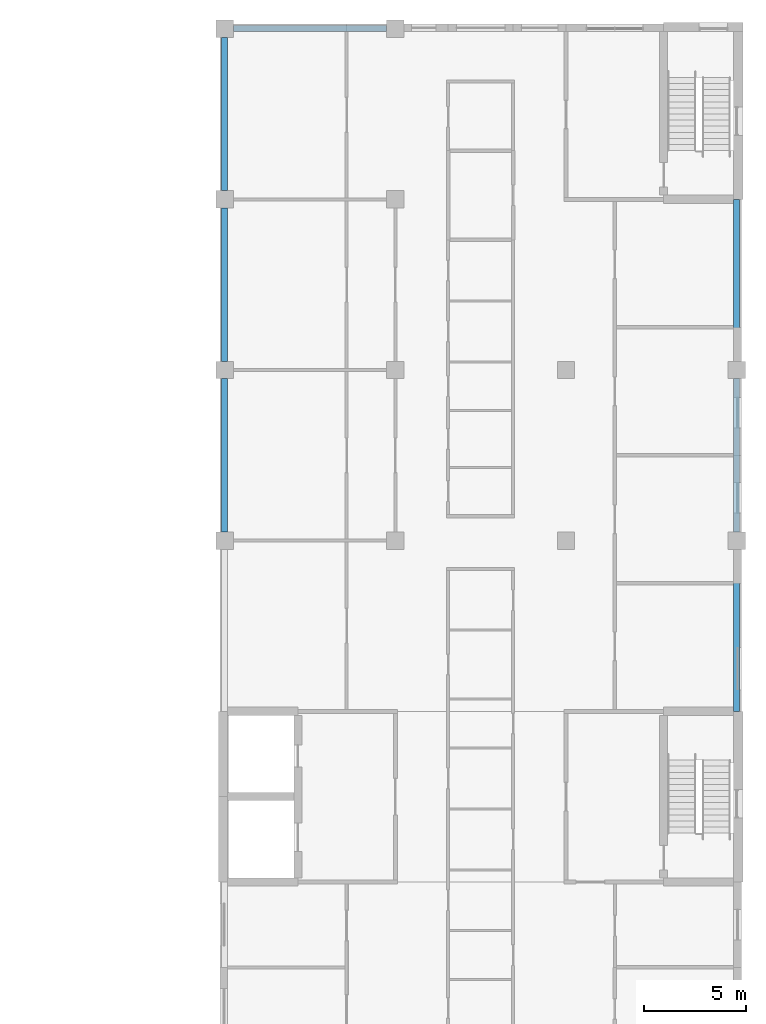
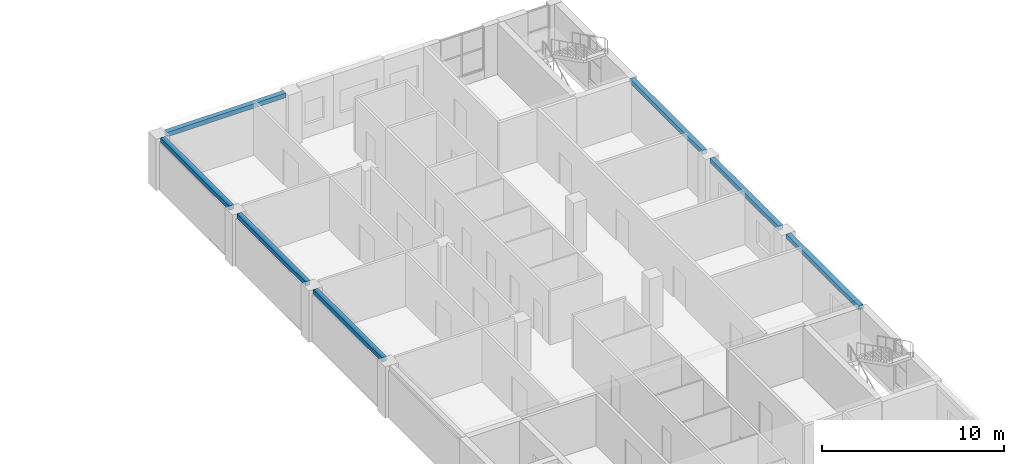
# One storey, part 41 of 94: 7 beams.
"""IFC4 building model written with IfcOpenShell, lengths in metres."""

from ifc_helpers import new_model, si_unit, direction, frame, origin, origin_2d, place, context, subcontext, project, spatial, rectangle, extrude, material, material_profile, profile_set, type_object, element, save


model = new_model("IFC4")

# Units and contexts
model_context = context("Model", 3, precision=1e-05, world=origin(), true_north=direction((0.0, 1.0)))
body_context = subcontext(model_context, "Body", "Model", "MODEL_VIEW")
ifc_project = project(units=[si_unit("LENGTHUNIT", "METRE"), si_unit("AREAUNIT", "SQUARE_METRE"), si_unit("VOLUMEUNIT", "CUBIC_METRE"), si_unit("PLANEANGLEUNIT", "RADIAN"), si_unit("MASSUNIT", "GRAM", prefix="KILO")], contexts=[model_context])

# Site, building, storey
site_placement = place(None, origin())
site = spatial("IfcSite", under=ifc_project, at=site_placement, CompositionType="ELEMENT")
building_placement = place(site_placement, origin())
building = spatial("IfcBuilding", under=site, at=building_placement, Name="Yavir Park General Hospital", CompositionType="ELEMENT")
storey_placement = place(building_placement, frame((0.0, 0.0, 4.5)))
storey = spatial("IfcBuildingStorey", under=building, at=storey_placement, Name="L01", CompositionType="ELEMENT", Elevation=4.5)

# Beams
ifc_material = material(Name="Concrete C35/45", Category="concrete")
ifc_material_profile = material_profile(ifc_material, rectangle(XDim=0.300048828125, YDim=0.300048828125, at=origin_2d()), Name="RC300x300")
ifc_profile_set = profile_set([ifc_material_profile], Name="Concrete C35/45")
beam_type = type_object("IfcBeamType", Name="RC BEAM 300x300 edge beam", PredefinedType="BEAM", material=ifc_profile_set)
beam_1_placement = place(storey_placement, frame((143.22509765625, 117.60009765625, 3.300048828125), z_axis=(1.0, 0.0, 0.0), x_axis=(0.0, 1.0, 0.0)))
element("IfcBeam", 1, at=beam_1_placement, inside=storey, type_object=beam_type, Name="B:EDGE:L01:029", PredefinedType="BEAM", context=body_context, shape_type="SweptSolid", body=[
    extrude(rectangle(XDim=0.300048828125, YDim=0.300048828125, at=origin_2d()), origin(), (0.0, 0.0, 1.0), 7.5498046875),
])
beam_2_placement = place(storey_placement, frame((142.800048828125, 92.824951171875, 3.300048828125), z_axis=(0.0, 1.0, 0.0), x_axis=(-1.0, 0.0, 0.0)))
element("IfcBeam", 2, at=beam_2_placement, inside=storey, type_object=beam_type, Name="B:EDGE:L01:052", PredefinedType="BEAM", context=body_context, shape_type="SweptSolid", body=[
    extrude(rectangle(XDim=0.300048828125, YDim=0.300048828125, at=origin_2d()), origin(), (0.0, 0.0, 1.0), 7.550048828125),
])
beam_3_placement = place(storey_placement, frame((142.800048828125, 101.22509765625, 3.300048828125), z_axis=(0.0, 1.0, 0.0), x_axis=(-1.0, 0.0, 0.0)))
element("IfcBeam", 3, at=beam_3_placement, inside=storey, type_object=beam_type, Name="B:EDGE:L01:053", PredefinedType="BEAM", context=body_context, shape_type="SweptSolid", body=[
    extrude(rectangle(XDim=0.300048828125, YDim=0.300048828125, at=origin_2d()), origin(), (0.0, 0.0, 1.0), 7.5498046875),
])
beam_4_placement = place(storey_placement, frame((142.800048828125, 109.625, 3.300048828125), z_axis=(0.0, 1.0, 0.0), x_axis=(-1.0, 0.0, 0.0)))
element("IfcBeam", 4, at=beam_4_placement, inside=storey, type_object=beam_type, Name="B:EDGE:L01:054", PredefinedType="BEAM", context=body_context, shape_type="SweptSolid", body=[
    extrude(rectangle(XDim=0.300048828125, YDim=0.300048828125, at=origin_2d()), origin(), (0.0, 0.0, 1.0), 7.550048828125),
])
beam_5_placement = place(storey_placement, frame((168.0, 84.0, 3.300048828125), z_axis=(0.0, 1.0, 0.0), x_axis=(-1.0, 0.0, 0.0)))
element("IfcBeam", 5, at=beam_5_placement, inside=storey, type_object=beam_type, Name="B:EDGE:L01:062", PredefinedType="BEAM", context=body_context, shape_type="SweptSolid", body=[
    extrude(rectangle(XDim=0.300048828125, YDim=0.300048828125, at=origin_2d()), origin(), (0.0, 0.0, 1.0), 7.97509765625),
])
beam_6_placement = place(storey_placement, frame((168.0, 92.824951171875, 3.300048828125), z_axis=(0.0, 1.0, 0.0), x_axis=(-1.0, 0.0, 0.0)))
element("IfcBeam", 6, at=beam_6_placement, inside=storey, type_object=beam_type, Name="B:EDGE:L01:063", PredefinedType="BEAM", context=body_context, shape_type="SweptSolid", body=[
    extrude(rectangle(XDim=0.300048828125, YDim=0.300048828125, at=origin_2d()), origin(), (0.0, 0.0, 1.0), 7.550048828125),
])
beam_7_placement = place(storey_placement, frame((168.0, 101.22509765625, 3.300048828125), z_axis=(0.0, 1.0, 0.0), x_axis=(-1.0, 0.0, 0.0)))
element("IfcBeam", 7, at=beam_7_placement, inside=storey, type_object=beam_type, Name="B:EDGE:L01:064", PredefinedType="BEAM", context=body_context, shape_type="SweptSolid", body=[
    extrude(rectangle(XDim=0.300048828125, YDim=0.300048828125, at=origin_2d()), origin(), (0.0, 0.0, 1.0), 7.974853515625),
])

save(model, "model.ifc")
